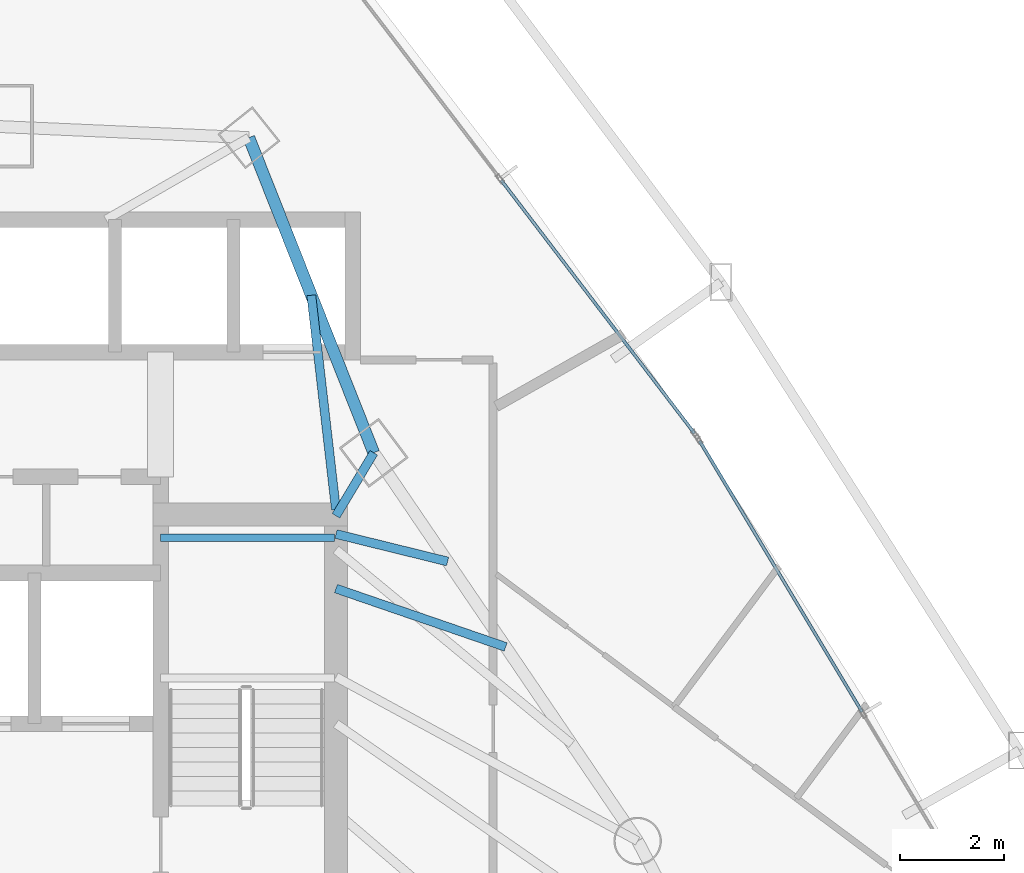
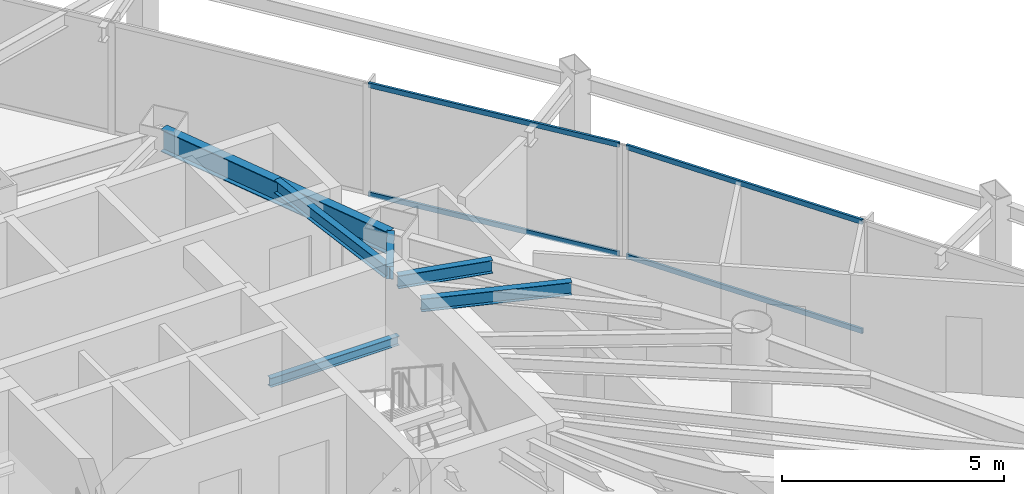
# One storey, part 25 of 34: 6 beams, 4 members, 2 elements without a shape of their own.
"""IFC4 building model written with IfcOpenShell, lengths in metres."""

from ifc_helpers import new_model, si_unit, direction, frame, origin, origin_2d, place, context, subcontext, project, spatial, hollow_rectangle, i_section, extrude, material, layer, layer_set, material_profile, profile_set, type_object, element, aggregate, save


model = new_model("IFC4")

# Units and contexts
model_context = context("Model", 3, precision=1e-05, world=origin(), true_north=direction((0.0, 1.0)))
body_context = subcontext(model_context, "Body", "Model", "MODEL_VIEW")
ifc_project = project(units=[si_unit("LENGTHUNIT", "METRE"), si_unit("AREAUNIT", "SQUARE_METRE"), si_unit("VOLUMEUNIT", "CUBIC_METRE"), si_unit("PLANEANGLEUNIT", "RADIAN"), si_unit("MASSUNIT", "GRAM", prefix="KILO")], contexts=[model_context])

# Site, building, storey
site_placement = place(None, origin())
site = spatial("IfcSite", under=ifc_project, at=site_placement, CompositionType="ELEMENT")
building_placement = place(site_placement, origin())
building = spatial("IfcBuilding", under=site, at=building_placement, Name="Orvanel Arch Residences", CompositionType="ELEMENT")
storey_placement = place(building_placement, frame((0.0, 0.0, 64.25)))
storey = spatial("IfcBuildingStorey", under=building, at=storey_placement, Name="L17", CompositionType="ELEMENT", Elevation=64.25)

# Beams
ifc_material_1 = material(Name="Structural steel AS/NZS 3679.1 Grade 300 (300 MPa)", Category="steel")
ifc_material_profile_1 = material_profile(ifc_material_1, i_section(OverallWidth=0.14599609375, OverallDepth=0.251953125, WebThickness=0.006103515625, FlangeThickness=0.008544921875, at=origin_2d()), Name="250UB31.4")
ifc_profile_set_1 = profile_set([ifc_material_profile_1], Name="Structural steel AS/NZS 3679.1 Grade 300 (300 MPa)")
beam_type_1 = type_object("IfcBeamType", Name="BJ-250UB", PredefinedType="JOIST", material=ifc_profile_set_1)
beam_1_placement = place(storey_placement, frame((36.25, 33.47998046875, 1.323974609375), z_axis=(1.0, 0.0, 0.0), x_axis=(0.0, 1.0, 0.0)))
element("IfcBeam", 1, at=beam_1_placement, inside=storey, type_object=beam_type_1, Name="L17 ST-2 Half-Landing Support Beam 1.2", PredefinedType="JOIST", context=body_context, shape_type="SweptSolid", body=[
    extrude(i_section(OverallWidth=0.14599609375, OverallDepth=0.251953125, WebThickness=0.006103515625, FlangeThickness=0.008544921875, at=origin_2d()), origin(), (0.0, 0.0, 1.0), 3.35009765625),
])
ifc_material_profile_2 = material_profile(ifc_material_1, i_section(OverallWidth=0.1708984375, OverallDepth=0.35595703125, WebThickness=0.00732421875, FlangeThickness=0.011474609375, at=origin_2d()), Name="360UB50.7")
ifc_profile_set_2 = profile_set([ifc_material_profile_2], Name="Structural steel AS/NZS 3679.1 Grade 300 (300 MPa)")
beam_type_2 = type_object("IfcBeamType", Name="BJ-360UB", PredefinedType="JOIST", material=ifc_profile_set_2)
beam_2_placement = place(storey_placement, frame((39.625, 33.89990234375, 2.882080078125), z_axis=(0.514064138778, 0.857751748015, 0.0), x_axis=(-0.857751748015, 0.514064138778, 0.0)))
element("IfcBeam", 2, at=beam_2_placement, inside=storey, type_object=beam_type_2, Name="L17 NNE Wing Floor Joist", PredefinedType="JOIST", context=body_context, shape_type="SweptSolid", body=[
    extrude(i_section(OverallWidth=0.1708984375, OverallDepth=0.35595703125, WebThickness=0.00732421875, FlangeThickness=0.011474609375, at=origin_2d()), origin(), (0.0, 0.0, 1.0), 1.414306640625),
])
beam_3_placement = place(storey_placement, frame((39.625, 34.02001953125, 2.882080078125), z_axis=(-0.114186670431, 0.993459311847, 0.0), x_axis=(-0.993459311847, -0.114186670431, 0.0)))
element("IfcBeam", 3, at=beam_3_placement, inside=storey, type_object=beam_type_2, Name="L17 NNE2 Wing Floor Joist", PredefinedType="JOIST", context=body_context, shape_type="SweptSolid", body=[
    extrude(i_section(OverallWidth=0.1708984375, OverallDepth=0.35595703125, WebThickness=0.00732421875, FlangeThickness=0.011474609375, at=origin_2d()), origin(), (0.0, 0.0, 1.0), 4.152099609375),
])
beam_4_placement = place(storey_placement, frame((39.625, 32.5, 2.882080078125), z_axis=(0.945658073701, -0.325162740247, 0.0), x_axis=(0.325162740247, 0.945658073701, 0.0)))
element("IfcBeam", 4, at=beam_4_placement, inside=storey, type_object=beam_type_2, Name="L17 ENE Wing Floor Joist", PredefinedType="JOIST", context=body_context, shape_type="SweptSolid", body=[
    extrude(i_section(OverallWidth=0.1708984375, OverallDepth=0.35595703125, WebThickness=0.00732421875, FlangeThickness=0.011474609375, at=origin_2d()), origin(), (0.0, 0.0, 1.0), 3.453857421875),
])
beam_5_placement = place(storey_placement, frame((39.625, 33.550048828125, 2.882080078125), z_axis=(0.971005818547, -0.239055851942, 0.0), x_axis=(0.239055851942, 0.971005818547, 0.0)))
element("IfcBeam", 5, at=beam_5_placement, inside=storey, type_object=beam_type_2, Name="L17 JADD4 Wing Floor Joist", PredefinedType="JOIST", context=body_context, shape_type="SweptSolid", body=[
    extrude(i_section(OverallWidth=0.1708984375, OverallDepth=0.35595703125, WebThickness=0.00732421875, FlangeThickness=0.011474609375, at=origin_2d()), origin(), (0.0, 0.0, 1.0), 2.213134765625),
])
ifc_material_profile_3 = material_profile(ifc_material_1, i_section(OverallWidth=0.22900390625, OverallDepth=0.612060546875, WebThickness=0.011962890625, FlangeThickness=0.01953125, at=origin_2d()), Name="610UB125")
ifc_profile_set_3 = profile_set([ifc_material_profile_3], Name="Structural steel AS/NZS 3679.1 Grade 300 (300 MPa)")
beam_type_3 = type_object("IfcBeamType", Name="SP-610UB", PredefinedType="SPANDREL", material=ifc_profile_set_3)
beam_6_placement = place(storey_placement, frame((40.35205078125, 35.113037109375, 2.75390625), z_axis=(-0.368233143579, 0.929733484376, 0.0), x_axis=(-0.929733484376, -0.368233143579, 0.0)))
element("IfcBeam", 6, at=beam_6_placement, inside=storey, type_object=beam_type_3, Name="L17 Perimeter Spandrel Beam 15", PredefinedType="SPANDREL", context=body_context, shape_type="SweptSolid", body=[
    extrude(i_section(OverallWidth=0.22900390625, OverallDepth=0.612060546875, WebThickness=0.011962890625, FlangeThickness=0.01953125, at=origin_2d()), origin(), (0.0, 0.0, 1.0), 6.523193359375),
])

# Curtain wall, members
ifc_material_2 = material(Name="Bronze-anodised aluminium AA6063-T6", Category="aluminium")
ifc_layer = layer(ifc_material_2, 0.179931640625)
ifc_layer_set = layer_set([ifc_layer], Name="Bronze-anodised aluminium AA6063-T6")
curtain_wall_type = type_object("IfcCurtainWallType", Name="CW2-LOW-SYS", PredefinedType="NOTDEFINED", material=ifc_layer_set)
curtain_wall_1_placement = place(storey_placement, origin())
curtain_wall_1 = element("IfcCurtainWall", 7, at=curtain_wall_1_placement, inside=storey, type_object=curtain_wall_type, Name="L17 CW2-LOW-SYS Unitised Curtain Wall", PredefinedType="NOTDEFINED")
ifc_material_profile_4 = material_profile(ifc_material_2, hollow_rectangle(XDim=0.06005859375, YDim=0.135009765625, WallThickness=0.00390625, at=origin_2d()), Name="ALU135x60x4")
ifc_profile_set_4 = profile_set([ifc_material_profile_4], Name="Bronze-anodised aluminium AA6063-T6")
member_type = type_object("IfcMemberType", Name="TRN-135x60", PredefinedType="USERDEFINED", material=ifc_profile_set_4)
member_1_placement = place(storey_placement, frame((49.75, 30.126953125, 0.030029296875), z_axis=(-0.514383536147, 0.857560247295, 0.0), x_axis=(-0.857560247295, -0.514383536147, 0.0)))
member_1 = element("IfcMember", 8, at=member_1_placement, type_object=member_type, Name="CW-S2 transom 2.1", ObjectType="TRANSOM", PredefinedType="USERDEFINED", context=body_context, shape_type="SweptSolid", body=[
    extrude(hollow_rectangle(XDim=0.06005859375, YDim=0.135009765625, WallThickness=0.00390625, at=origin_2d()), origin(), (0.0, 0.0, 1.0), 6.0791015625),
])
member_2_placement = place(storey_placement, frame((49.75, 30.126953125, 3.030029296875), z_axis=(-0.514383536147, 0.857560247295, 0.0), x_axis=(-0.857560247295, -0.514383536147, 0.0)))
member_2 = element("IfcMember", 9, at=member_2_placement, type_object=member_type, Name="CW-S2 transom 2.2", ObjectType="TRANSOM", PredefinedType="USERDEFINED", context=body_context, shape_type="SweptSolid", body=[
    extrude(hollow_rectangle(XDim=0.06005859375, YDim=0.135009765625, WallThickness=0.00390625, at=origin_2d()), origin(), (0.0, 0.0, 1.0), 6.0791015625),
])
aggregate(curtain_wall_1, [member_1, member_2])

curtain_wall_2_placement = place(storey_placement, origin())
curtain_wall_2 = element("IfcCurtainWall", 10, at=curtain_wall_2_placement, inside=storey, type_object=curtain_wall_type, Name="L17 CW2-LOW-SYS Unitised Curtain Wall", PredefinedType="NOTDEFINED")
member_3_placement = place(storey_placement, frame((46.5224609375, 35.488525390625, 0.030029296875), z_axis=(-0.606733650024, 0.794905200593, 0.0), x_axis=(-0.794905200593, -0.606733650024, 0.0)))
member_3 = element("IfcMember", 11, at=member_3_placement, type_object=member_type, Name="CW-S2 transom 1.1", ObjectType="TRANSOM", PredefinedType="USERDEFINED", context=body_context, shape_type="SweptSolid", body=[
    extrude(hollow_rectangle(XDim=0.06005859375, YDim=0.135009765625, WallThickness=0.00390625, at=origin_2d()), origin(), (0.0, 0.0, 1.0), 6.123779296875),
])
member_4_placement = place(storey_placement, frame((46.5224609375, 35.488525390625, 3.030029296875), z_axis=(-0.606733650024, 0.794905200593, 0.0), x_axis=(-0.794905200593, -0.606733650024, 0.0)))
member_4 = element("IfcMember", 12, at=member_4_placement, type_object=member_type, Name="CW-S2 transom 1.2", ObjectType="TRANSOM", PredefinedType="USERDEFINED", context=body_context, shape_type="SweptSolid", body=[
    extrude(hollow_rectangle(XDim=0.06005859375, YDim=0.135009765625, WallThickness=0.00390625, at=origin_2d()), origin(), (0.0, 0.0, 1.0), 6.123779296875),
])
aggregate(curtain_wall_2, [member_3, member_4])

save(model, "model.ifc")
